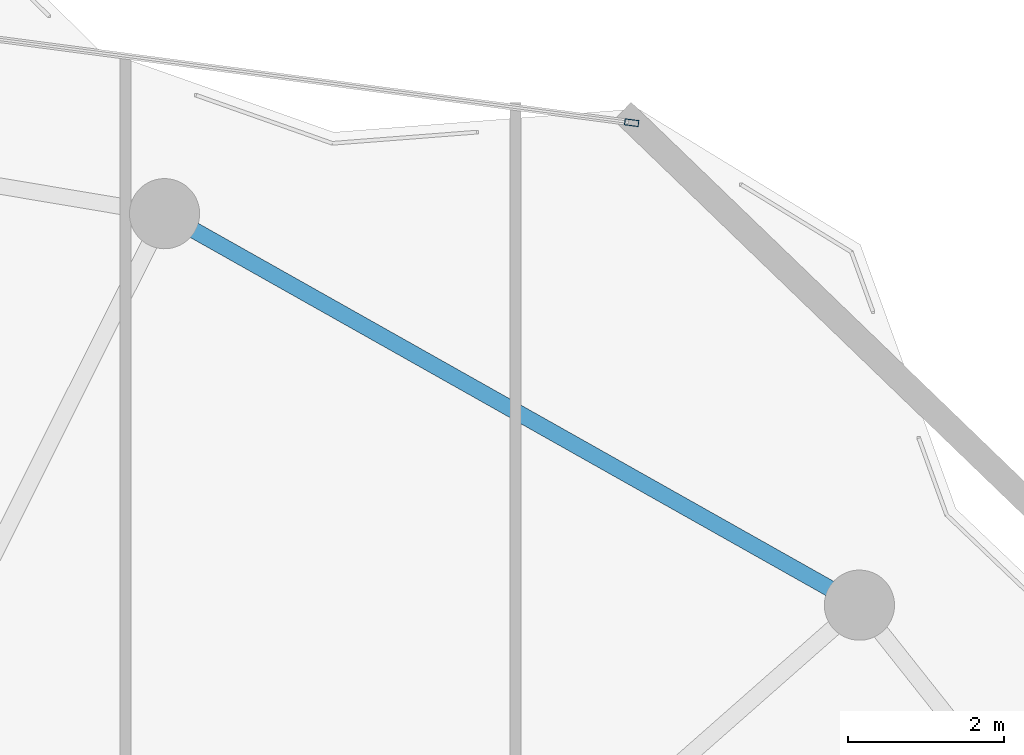
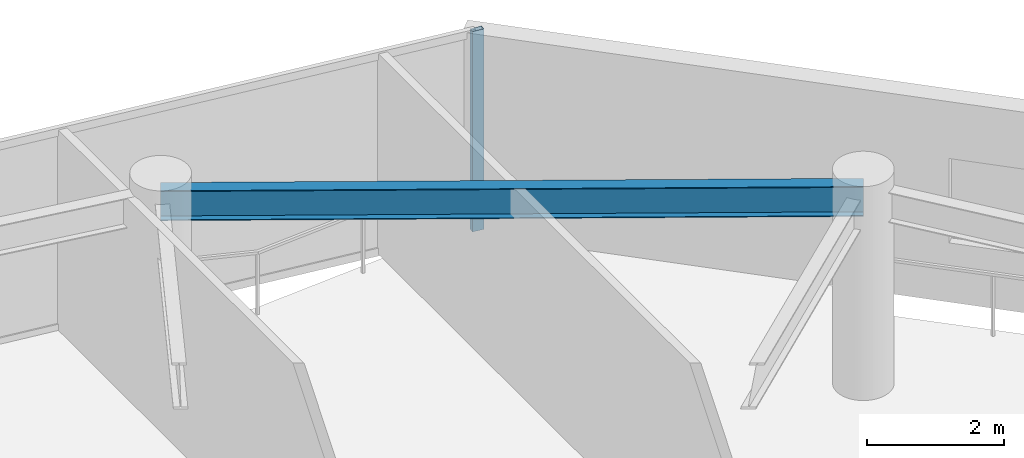
# One storey, part 22 of 30: 1 beam, 1 member, 1 element without a shape of its own.
"""IFC4 building model written with IfcOpenShell, lengths in metres."""

from ifc_helpers import new_model, si_unit, direction, frame, origin, origin_2d, place, context, subcontext, project, spatial, hollow_rectangle, i_section, extrude, material, layer, layer_set, material_profile, profile_set, type_object, element, aggregate, save


model = new_model("IFC4")

# Units and contexts
model_context = context("Model", 3, precision=1e-05, world=origin(), true_north=direction((0.0, 1.0)))
body_context = subcontext(model_context, "Body", "Model", "MODEL_VIEW")
ifc_project = project(units=[si_unit("LENGTHUNIT", "METRE"), si_unit("AREAUNIT", "SQUARE_METRE"), si_unit("VOLUMEUNIT", "CUBIC_METRE"), si_unit("PLANEANGLEUNIT", "RADIAN"), si_unit("MASSUNIT", "GRAM", prefix="KILO")], contexts=[model_context])

# Site, building, storey
site_placement = place(None, origin())
site = spatial("IfcSite", under=ifc_project, at=site_placement, CompositionType="ELEMENT")
building_placement = place(site_placement, origin())
building = spatial("IfcBuilding", under=site, at=building_placement, Name="Kazevale Care Tower and Concert Hall", CompositionType="ELEMENT")
storey_placement = place(building_placement, frame((0.0, 0.0, 258.60009765625)))
storey = spatial("IfcBuildingStorey", under=building, at=storey_placement, Name="L68", CompositionType="ELEMENT", Elevation=258.60009765625)

# Curtain wall, member
ifc_material_1 = material(Name="Aluminium 6063-T6 and Low-E Glass", Category="aluminium")
ifc_layer = layer(ifc_material_1, 0.179931640625)
ifc_layer_set = layer_set([ifc_layer], Name="Aluminium 6063-T6 and Low-E Glass")
curtain_wall_type = type_object("IfcCurtainWallType", Name="Waist & Upper Residential Curtain Wall CW-4", PredefinedType="NOTDEFINED", material=ifc_layer_set)
curtain_wall_placement = place(storey_placement, origin())
curtain_wall = element("IfcCurtainWall", 1, at=curtain_wall_placement, inside=storey, type_object=curtain_wall_type, Name="cw:L68:f16", PredefinedType="NOTDEFINED")
ifc_material_2 = material(Name="Aluminium 6063-T6", Category="aluminium")
ifc_material_profile_1 = material_profile(ifc_material_2, hollow_rectangle(XDim=0.080078125, YDim=0.179931640625, WallThickness=0.0048828125, at=origin_2d()), Name="ALU80x180x5")
ifc_profile_set_1 = profile_set([ifc_material_profile_1], Name="Aluminium 6063-T6")
member_type = type_object("IfcMemberType", Name="CW-4 Mullion ALU80x180x5", PredefinedType="MULLION", material=ifc_profile_set_1)
member_placement = place(storey_placement, frame((61.4892578125, 60.55615234375, 0.0), z_axis=(0.0, 0.0, 1.0), x_axis=(0.130591441567, 0.99143626895, 0.0)))
member = element("IfcMember", 2, at=member_placement, type_object=member_type, Name="CW-4 mullion 2", PredefinedType="MULLION", context=body_context, shape_type="SweptSolid", body=[
    extrude(hollow_rectangle(XDim=0.080078125, YDim=0.179931640625, WallThickness=0.0048828125, at=origin_2d()), origin(), (0.0, 0.0, 1.0), 3.559814453125),
])
aggregate(curtain_wall, [member])

# Beam
ifc_material_3 = material(Name="Steel ASTM A572 Gr 50", Category="steel")
ifc_material_profile_2 = material_profile(ifc_material_3, i_section(OverallWidth=0.208984375, OverallDepth=0.532958984375, WebThickness=0.01025390625, FlangeThickness=0.015625, at=origin_2d()), Name="W530x92")
ifc_profile_set_2 = profile_set([ifc_material_profile_2], Name="Steel ASTM A572 Gr 50")
beam_type = type_object("IfcBeamType", Name="Upper Ring Beam W530x92", PredefinedType="BEAM", material=ifc_profile_set_2)
beam_placement = place(storey_placement, frame((64.409912109375, 54.3701171875, 3.29345703125), z_axis=(-0.871243170179, 0.490851646035, 0.0), x_axis=(-0.490851646035, -0.871243170179, 0.0)))
element("IfcBeam", 3, at=beam_placement, inside=storey, type_object=beam_type, Name="beam:L68:ring:03", PredefinedType="BEAM", context=body_context, shape_type="SweptSolid", body=[
    extrude(i_section(OverallWidth=0.208984375, OverallDepth=0.532958984375, WebThickness=0.01025390625, FlangeThickness=0.015625, at=origin_2d()), origin(), (0.0, 0.0, 1.0), 10.2265625),
])

save(model, "model.ifc")
